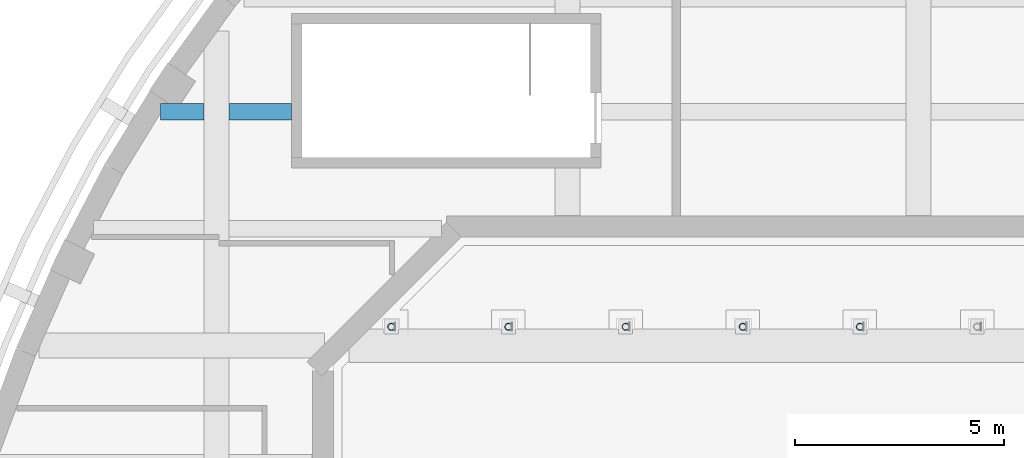
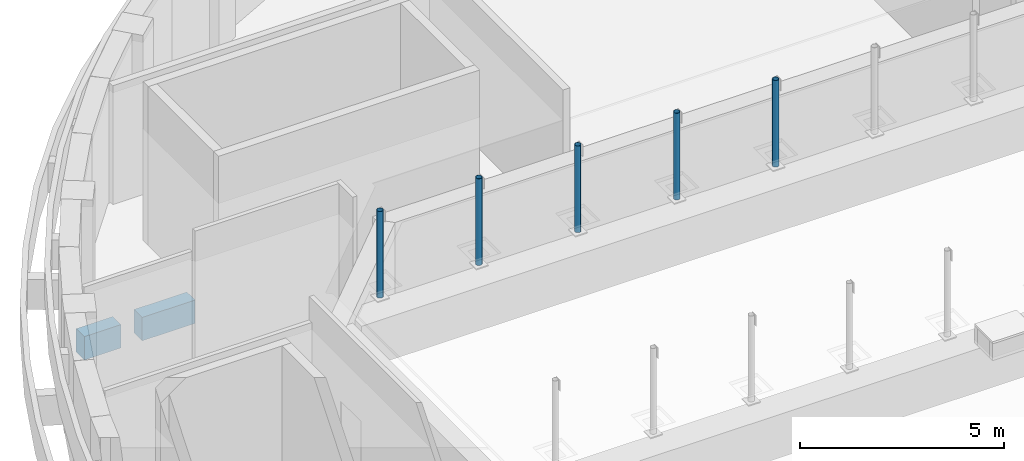
# One storey, part 18 of 47: 5 members, 2 beams.
"""IFC4 building model written with IfcOpenShell, lengths in metres."""

from ifc_helpers import new_model, si_unit, direction, frame, origin, origin_2d, place, context, subcontext, project, spatial, rectangle, hollow_circle, extrude, material, material_profile, profile_set, type_object, element, save


model = new_model("IFC4")

# Units and contexts
model_context = context("Model", 3, precision=1e-05, world=origin(), true_north=direction((0.0, 1.0)))
body_context = subcontext(model_context, "Body", "Model", "MODEL_VIEW")
ifc_project = project(units=[si_unit("LENGTHUNIT", "METRE"), si_unit("AREAUNIT", "SQUARE_METRE"), si_unit("VOLUMEUNIT", "CUBIC_METRE"), si_unit("PLANEANGLEUNIT", "RADIAN"), si_unit("MASSUNIT", "GRAM", prefix="KILO")], contexts=[model_context])

# Site, building, storey
site_placement = place(None, origin())
site = spatial("IfcSite", under=ifc_project, at=site_placement, CompositionType="ELEMENT")
building_placement = place(site_placement, origin())
building = spatial("IfcBuilding", under=site, at=building_placement, Name="Larchfold Concert Hall", CompositionType="ELEMENT")
storey_placement = place(building_placement, frame((0.0, 0.0, 24.0)))
storey = spatial("IfcBuildingStorey", under=building, at=storey_placement, Name="L05", CompositionType="ELEMENT", Elevation=24.0)

# Beams
ifc_material_1 = material(Name="Concrete C35/45", Category="concrete")
ifc_material_profile_1 = material_profile(ifc_material_1, rectangle(XDim=0.39990234375, YDim=0.699951171875, at=origin_2d()))
ifc_profile_set_1 = profile_set([ifc_material_profile_1], Name="Concrete C35/45")
beam_type = type_object("IfcBeamType", Name="Beam RC 400x700", PredefinedType="BEAM", material=ifc_profile_set_1)
beam_1_placement = place(storey_placement, frame((24.462158203125, 107.0, -0.550048828125), z_axis=(1.0, 0.0, 0.0), x_axis=(0.0, 1.0, 0.0)))
element("IfcBeam", 1, at=beam_1_placement, inside=storey, type_object=beam_type, Name="Beam B1588", PredefinedType="BEAM", context=body_context, shape_type="SweptSolid", body=[
    extrude(rectangle(XDim=0.39990234375, YDim=0.699951171875, at=origin_2d()), origin(), (0.0, 0.0, 1.0), 1.037841796875),
])
beam_2_placement = place(storey_placement, frame((26.10009765625, 107.0, -0.550048828125), z_axis=(1.0, 0.0, 0.0), x_axis=(0.0, 1.0, 0.0)))
element("IfcBeam", 2, at=beam_2_placement, inside=storey, type_object=beam_type, Name="Beam B1589", PredefinedType="BEAM", context=body_context, shape_type="SweptSolid", body=[
    extrude(rectangle(XDim=0.39990234375, YDim=0.699951171875, at=origin_2d()), origin(), (0.0, 0.0, 1.0), 1.5),
])

# Members
ifc_material_2 = material(Name="Steel S355J2H", Category="steel")
ifc_material_profile_2 = material_profile(ifc_material_2, hollow_circle(Radius=0.084228515625, WallThickness=0.008056640625, at=origin_2d()))
ifc_profile_set_2 = profile_set([ifc_material_profile_2], Name="Steel S355J2H")
member_type = type_object("IfcMemberType", Name="Truss post CHS 168.3x8", PredefinedType="POST", material=ifc_profile_set_2)
for number, where, z_axis, x_axis, name in (
    (3, (29.982177734375, 101.85009765625, 2.080078125), (0.0, 0.0, 1.0), (1.0, 0.0, 0.0), "Member TP041"),
    (4, (32.7861328125, 101.85009765625, 2.080078125), (0.0, 0.0, 1.0), (1.0, 0.0, 0.0), "Member TP042"),
    (5, (35.590087890625, 101.85009765625, 2.080078125), (0.0, 0.0, 1.0), (1.0, 0.0, 0.0), "Member TP043"),
    (6, (38.39404296875, 101.85009765625, 2.080078125), (0.0, 0.0, 1.0), (1.0, 0.0, 0.0), "Member TP044"),
    (7, (41.197998046875, 101.85009765625, 2.080078125), (0.0, 0.0, 1.0), (1.0, 0.0, 0.0), "Member TP045"),
):
    element("IfcMember", number, at=place(storey_placement, frame(where, z_axis=z_axis, x_axis=x_axis)), inside=storey, type_object=member_type, Name=name, PredefinedType="POST", context=body_context, shape_type="SweptSolid", body=[
        extrude(hollow_circle(Radius=0.084228515625, WallThickness=0.008056640625, at=origin_2d()), origin(), (0.0, 0.0, 1.0), 2.594970703125),
    ])

save(model, "model.ifc")
